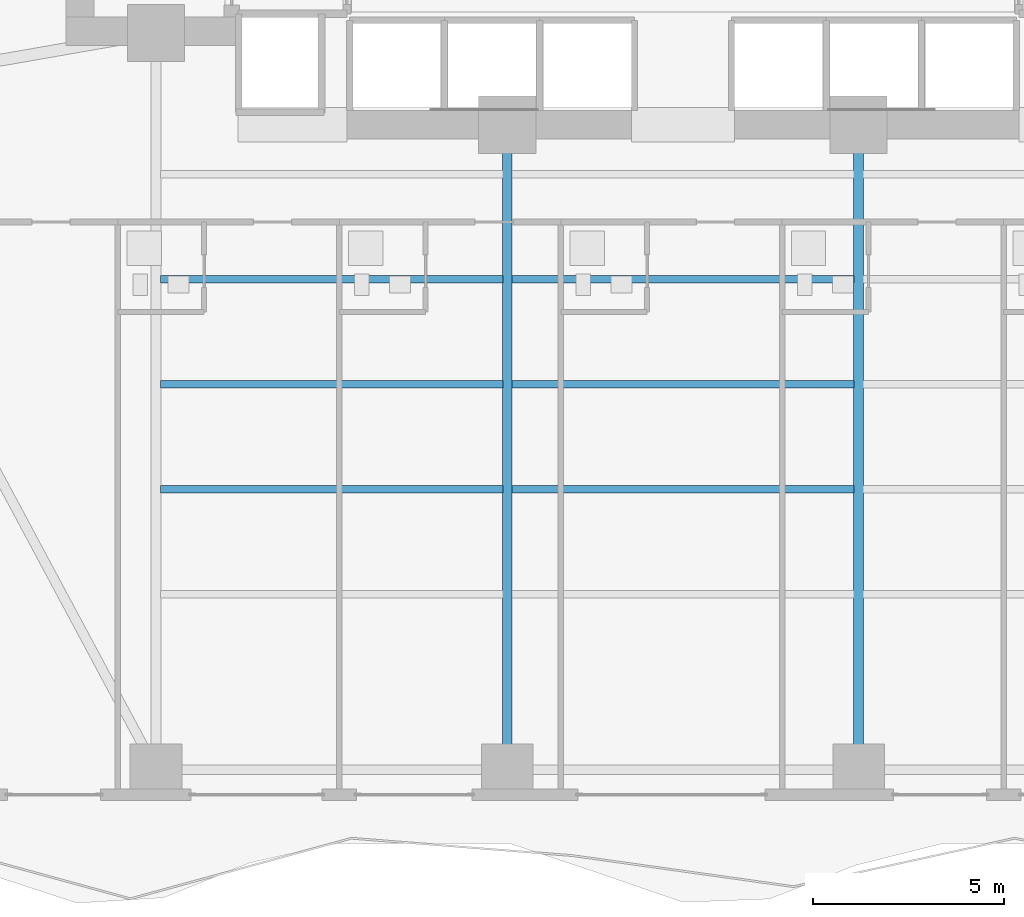
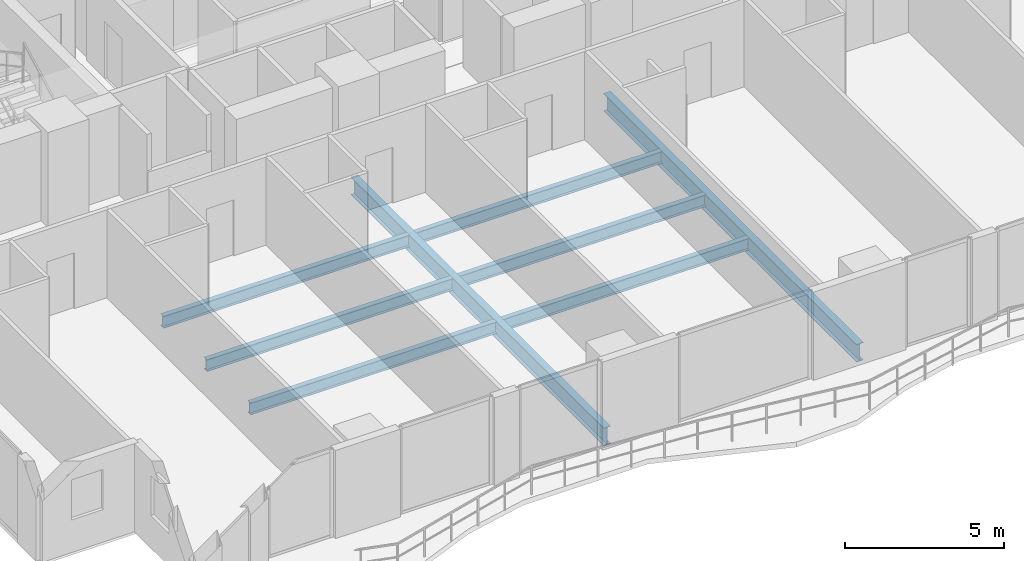
# One storey, part 6 of 29: 8 beams.
"""IFC4 building model written with IfcOpenShell, lengths in metres."""

from ifc_helpers import new_model, si_unit, direction, frame, origin, origin_2d, place, context, subcontext, project, spatial, i_section, extrude, material, material_profile, profile_set, type_object, element, save


model = new_model("IFC4")

# Units and contexts
model_context = context("Model", 3, precision=1e-05, world=origin(), true_north=direction((0.0, 1.0)))
body_context = subcontext(model_context, "Body", "Model", "MODEL_VIEW")
ifc_project = project(units=[si_unit("LENGTHUNIT", "METRE"), si_unit("AREAUNIT", "SQUARE_METRE"), si_unit("VOLUMEUNIT", "CUBIC_METRE"), si_unit("PLANEANGLEUNIT", "RADIAN"), si_unit("MASSUNIT", "GRAM", prefix="KILO")], contexts=[model_context])

# Site, building, storey
site_placement = place(None, origin())
site = spatial("IfcSite", under=ifc_project, at=site_placement, CompositionType="ELEMENT")
building_placement = place(site_placement, origin())
building = spatial("IfcBuilding", under=site, at=building_placement, Name="Zuhayl Quay Hotel", CompositionType="ELEMENT")
storey_placement = place(building_placement, frame((0.0, 0.0, 158.550048828125)))
storey = spatial("IfcBuildingStorey", under=building, at=storey_placement, Name="L40", CompositionType="ELEMENT", Elevation=158.550048828125)

# Beams
ifc_material = material(Name="Steel ASTM A992 Grade 50", Category="steel")
ifc_material_profile_1 = material_profile(ifc_material, i_section(OverallWidth=0.25390625, OverallDepth=0.68310546875, WebThickness=0.012451171875, FlangeThickness=0.018798828125, at=origin_2d()), Name="W27X94")
ifc_profile_set_1 = profile_set([ifc_material_profile_1], Name="Steel ASTM A992 Grade 50")
beam_type_1 = type_object("IfcBeamType", Name="BM_B2_W27X94", PredefinedType="BEAM", material=ifc_profile_set_1)
for number, where, z_axis, x_axis, name in (
    (1, (-4.60009765625, -14.25, -0.5615234375), (0.0, 1.0, 0.0), (-1.0, 0.0, 0.0), "L40 Floor Beam FG_S_L40_2"),
    (2, (4.60009765625, -14.25, -0.5615234375), (0.0, 1.0, 0.0), (-1.0, 0.0, 0.0), "L40 Floor Beam FG_S_L40_3"),
):
    element("IfcBeam", number, at=place(storey_placement, frame(where, z_axis=z_axis, x_axis=x_axis)), inside=storey, type_object=beam_type_1, Name=name, PredefinedType="BEAM", context=body_context, shape_type="SweptSolid", body=[
        extrude(i_section(OverallWidth=0.25390625, OverallDepth=0.68310546875, WebThickness=0.012451171875, FlangeThickness=0.018798828125, at=origin_2d()), origin(), (0.0, 0.0, 1.0), 15.949951171875),
    ])
ifc_material_profile_2 = material_profile(ifc_material, i_section(OverallWidth=0.18994140625, OverallDepth=0.45703125, WebThickness=0.009033203125, FlangeThickness=0.014404296875, at=origin_2d()), Name="W18X50")
ifc_profile_set_2 = profile_set([ifc_material_profile_2], Name="Steel ASTM A992 Grade 50")
beam_type_2 = type_object("IfcBeamType", Name="BM_J2_W18X50", PredefinedType="JOIST", material=ifc_profile_set_2)
for number, where, z_axis, x_axis, name in (
    (3, (-13.680908203125, -7.39990234375, -0.448486328125), (1.0, 0.0, 0.0), (0.0, 1.0, 0.0), "L40 Floor Beam FJ_L40_6_1"),
    (4, (-4.48095703125, -7.39990234375, -0.448486328125), (1.0, 0.0, 0.0), (0.0, 1.0, 0.0), "L40 Floor Beam FJ_L40_6_2"),
    (5, (-13.680908203125, -4.64990234375, -0.448486328125), (1.0, 0.0, 0.0), (0.0, 1.0, 0.0), "L40 Floor Beam FJ_L40_7_1"),
    (6, (-4.48095703125, -4.64990234375, -0.448486328125), (1.0, 0.0, 0.0), (0.0, 1.0, 0.0), "L40 Floor Beam FJ_L40_7_2"),
    (7, (-13.680908203125, -1.89990234375, -0.448486328125), (1.0, 0.0, 0.0), (0.0, 1.0, 0.0), "L40 Floor Beam FJ_L40_8_1"),
    (8, (-4.48095703125, -1.89990234375, -0.448486328125), (1.0, 0.0, 0.0), (0.0, 1.0, 0.0), "L40 Floor Beam FJ_L40_8_2"),
):
    element("IfcBeam", number, at=place(storey_placement, frame(where, z_axis=z_axis, x_axis=x_axis)), inside=storey, type_object=beam_type_2, Name=name, PredefinedType="JOIST", context=body_context, shape_type="SweptSolid", body=[
        extrude(i_section(OverallWidth=0.18994140625, OverallDepth=0.45703125, WebThickness=0.009033203125, FlangeThickness=0.014404296875, at=origin_2d()), origin(), (0.0, 0.0, 1.0), 8.9619140625),
    ])

save(model, "model.ifc")
